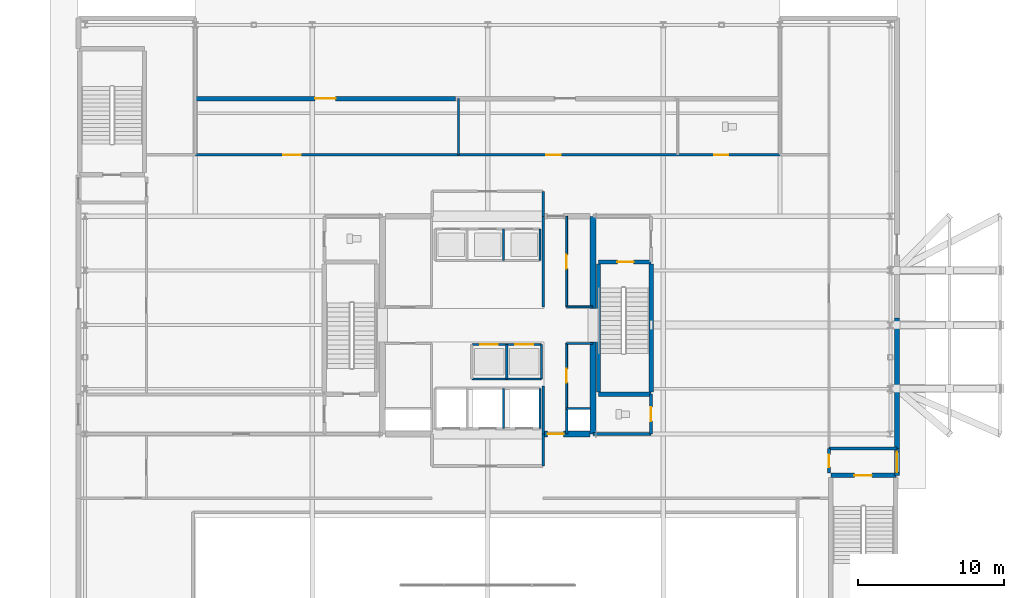
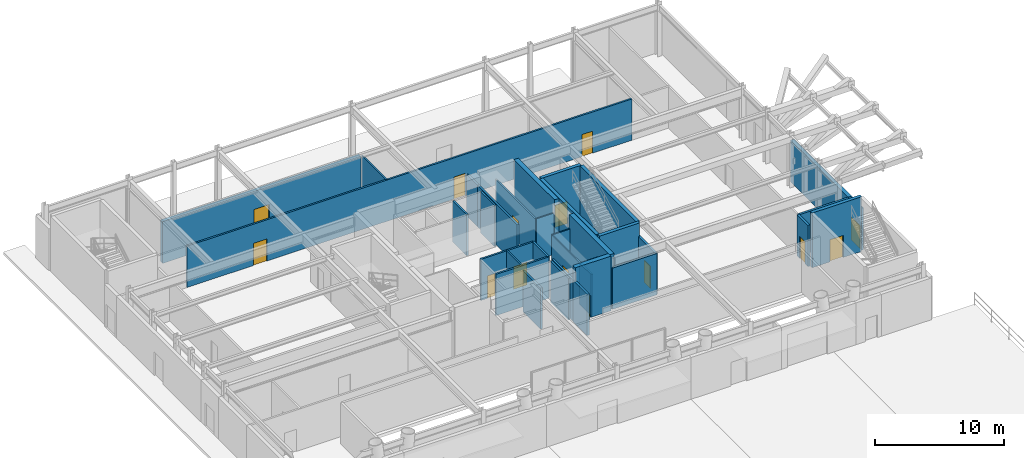
# One storey, part 13 of 19: 35 walls, 14 doors, 14 openings.
"""IFC4 building model written with IfcOpenShell, lengths in metres."""

from ifc_helpers import new_model, si_unit, direction, frame, frame_2d, origin, place, context, subcontext, project, spatial, rectangle, extrude, material, layer, layer_set, type_object, element, fill, save


model = new_model("IFC4")

# Units and contexts
model_context = context("Model", 3, precision=1e-05, world=origin(), true_north=direction((0.0, 1.0)))
body_context = subcontext(model_context, "Body", "Model", "MODEL_VIEW")
ifc_project = project(units=[si_unit("LENGTHUNIT", "METRE"), si_unit("AREAUNIT", "SQUARE_METRE"), si_unit("VOLUMEUNIT", "CUBIC_METRE"), si_unit("PLANEANGLEUNIT", "RADIAN"), si_unit("MASSUNIT", "GRAM", prefix="KILO")], contexts=[model_context])

# Site, building, storey
site_placement = place(None, origin())
site = spatial("IfcSite", under=ifc_project, at=site_placement, CompositionType="ELEMENT")
building_placement = place(site_placement, origin())
building = spatial("IfcBuilding", under=site, at=building_placement, Name="Veldorina Hangang Commons", CompositionType="ELEMENT")
storey_placement = place(building_placement, origin())
storey = spatial("IfcBuildingStorey", under=building, at=storey_placement, Name="L00", CompositionType="ELEMENT", Elevation=0.0)

# Walls
ifc_material_1 = material(Name="Concrete C70/85", Category="concrete")
ifc_layer_1 = layer(ifc_material_1, 0.39990234375)
ifc_layer_set_1 = layer_set([ifc_layer_1], Name="Concrete C70/85")
wall_type_1 = type_object("IfcWallType", Name="CW-RC400-C70", PredefinedType="SHEAR", material=ifc_layer_set_1)
for number, where, z_axis, x_axis, name in (
    (1, (39.199951171875, 16.550048828125, 0.0), (0.0, 0.0, 1.0), (0.0, 1.0, 0.0), "L00 E south core shear wall"),
    (2, (39.199951171875, 25.14990234375, 0.0), (0.0, 0.0, 1.0), (0.0, 1.0, 0.0), "L00 E north core shear wall"),
):
    element("IfcWall", number, at=place(storey_placement, frame(where, z_axis=z_axis, x_axis=x_axis)), inside=storey, type_object=wall_type_1, Name=name, PredefinedType="SHEAR", context=body_context, shape_type="SweptSolid", body=[
        extrude(rectangle(XDim=6.300048828125, YDim=0.39990234375, at=frame_2d((3.14990234375, 0.0))), origin(), (0.0, 0.0, 1.0), 5.199951171875),
    ])

# Wall, opening, door
wall_1_placement = place(storey_placement, frame((35.800048828125, 16.550048828125, 0.0), z_axis=(0.0, 0.0, 1.0), x_axis=(1.0, 0.0, 0.0)))
wall_1 = element("IfcWall", 3, at=wall_1_placement, inside=storey, type_object=wall_type_1, Name="L00 south-east core shear wall", PredefinedType="SHEAR", context=body_context, shape_type="SweptSolid", body=[
    extrude(rectangle(XDim=3.199951171875, YDim=0.39990234375, at=frame_2d((1.60009765625, 0.0))), origin(), (0.0, 0.0, 1.0), 5.199951171875),
])
opening_1_placement = place(wall_1_placement, frame((0.300048828125, 0.0, 0.0)))
opening_1 = element("IfcOpeningElement", 4, at=opening_1_placement, cuts=wall_1, Name="Opening D-08", PredefinedType="OPENING", context=body_context, shape_type="SweptSolid", body=[
    extrude(rectangle(XDim=1.10009765625, YDim=2.10009765625, at=frame_2d((0.550048828125, 1.050048828125))), frame((0.0, 0.2099609375, 0.0), z_axis=(0.0, -1.0, 0.0), x_axis=(1.0, 0.0, 0.0)), (0.0, 0.0, 1.0), 0.419921875),
])
ifc_material_2 = material(Name="Steel Fire-Rated Smoke Seal", Category="steel")
door_type_1 = type_object("IfcDoorType", Name="DR-FIRE-1100", OperationType="SINGLE_SWING_RIGHT", PredefinedType="DOOR", material=ifc_material_2)
door_1_placement = place(opening_1_placement, origin())
door_1 = element("IfcDoor", 5, at=door_1_placement, inside=storey, type_object=door_type_1, Name="L00 central lift lobby south corridor door", OperationType="SINGLE_SWING_RIGHT", OverallHeight=2.10009765625, OverallWidth=1.10009765625, PredefinedType="DOOR", context=body_context, shape_type="SweptSolid", body=[
    extrude(rectangle(XDim=1.10009765625, YDim=2.10009765625, at=frame_2d((0.550048828125, 1.050048828125))), frame((0.0, 0.02490234375, 0.0), z_axis=(0.0, -1.0, 0.0), x_axis=(1.0, 0.0, 0.0)), (0.0, 0.0, 1.0), 0.050048828125),
])
fill(opening_1, door_1)

ifc_material_3 = material(Name="Stone Pietra Limestone", Category="masonry")
ifc_layer_2 = layer(ifc_material_3, 0.320068359375)
ifc_layer_set_2 = layer_set([ifc_layer_2], Name="Stone Pietra Limestone")
wall_type_2 = type_object("IfcWallType", Name="EW-LIME-320", PredefinedType="STANDARD", material=ifc_layer_set_2)
wall_2_placement = place(storey_placement, frame((29.800048828125, 39.5, 0.0), z_axis=(0.0, 0.0, 1.0), x_axis=(-1.0, 0.0, 0.0)))
wall_2 = element("IfcWall", 6, at=wall_2_placement, inside=storey, type_object=wall_type_2, Name="L00 north courtyard stone wall NC1", PredefinedType="STANDARD", context=body_context, shape_type="SweptSolid", body=[
    extrude(rectangle(XDim=17.800048828125, YDim=0.320068359375, at=frame_2d((8.89990234375, 0.0))), origin(), (0.0, 0.0, 1.0), 3.969970703125),
])
opening_2_placement = place(wall_2_placement, frame((8.199951171875, 0.0, 0.0)))
opening_2 = element("IfcOpeningElement", 7, at=opening_2_placement, cuts=wall_2, Name="Opening ED-S1400", PredefinedType="OPENING", context=body_context, shape_type="SweptSolid", body=[
    extrude(rectangle(XDim=1.39990234375, YDim=2.25, at=frame_2d((0.699951171875, 1.125))), frame((0.0, 0.169921875, 0.0), z_axis=(0.0, -1.0, 0.0), x_axis=(1.0, 0.0, 0.0)), (0.0, 0.0, 1.0), 0.340087890625),
])
ifc_material_4 = material(Name="Glass Framed Anodized Bronze", Category="glass")
door_type_2 = type_object("IfcDoorType", Name="DR-EXT-SHOP1400", OperationType="SINGLE_SWING_RIGHT", PredefinedType="DOOR", material=ifc_material_4)
door_2_placement = place(opening_2_placement, frame((1.39990234375, 0.0, 0.0), z_axis=(0.0, 0.0, 1.0), x_axis=(-1.0, 0.0, 0.0)))
door_2 = element("IfcDoor", 8, at=door_2_placement, inside=storey, type_object=door_type_2, Name="L00 north courtyard entrance door NC1", OperationType="SINGLE_SWING_RIGHT", OverallHeight=2.25, OverallWidth=1.39990234375, PredefinedType="DOOR", context=body_context, shape_type="SweptSolid", body=[
    extrude(rectangle(XDim=1.39990234375, YDim=2.25, at=frame_2d((0.699951171875, 1.125))), frame((0.0, 0.02490234375, 0.0), z_axis=(0.0, -1.0, 0.0), x_axis=(1.0, 0.0, 0.0)), (0.0, 0.0, 1.0), 0.050048828125),
])
fill(opening_2, door_2)

wall_3_placement = place(storey_placement, frame((60.0, 13.719970703125, 0.0), z_axis=(0.0, 0.0, 1.0), x_axis=(0.0, 1.0, 0.0)))
wall_3 = element("IfcWall", 9, at=wall_3_placement, inside=storey, type_object=wall_type_2, Name="L00 east podium stone wall E3", PredefinedType="STANDARD", context=body_context, shape_type="SweptSolid", body=[
    extrude(rectangle(XDim=1.830078125, YDim=0.320068359375, at=frame_2d((0.9150390625, 0.0))), origin(), (0.0, 0.0, 1.0), 3.969970703125),
])
opening_3_placement = place(wall_3_placement, frame((0.215087890625, 0.0, 0.0)))
opening_3 = element("IfcOpeningElement", 10, at=opening_3_placement, cuts=wall_3, Name="Opening ED-1400", PredefinedType="OPENING", context=body_context, shape_type="SweptSolid", body=[
    extrude(rectangle(XDim=1.39990234375, YDim=2.199951171875, at=frame_2d((0.699951171875, 1.10009765625))), frame((0.0, 0.169921875, 0.0), z_axis=(0.0, -1.0, 0.0), x_axis=(1.0, 0.0, 0.0)), (0.0, 0.0, 1.0), 0.340087890625),
])
ifc_material_5 = material(Name="Steel Insulated Painted", Category="steel")
door_type_3 = type_object("IfcDoorType", Name="DR-EXT-EXIT1400", OperationType="SINGLE_SWING_LEFT", PredefinedType="DOOR", material=ifc_material_5)
door_3_placement = place(opening_3_placement, frame((1.39990234375, 0.0, 0.0), z_axis=(0.0, 0.0, 1.0), x_axis=(-1.0, 0.0, 0.0)))
door_3 = element("IfcDoor", 11, at=door_3_placement, inside=storey, type_object=door_type_3, Name="L00 ST-P2 protected passageway final exterior exit door", OperationType="SINGLE_SWING_RIGHT", OverallHeight=2.199951171875, OverallWidth=1.39990234375, PredefinedType="DOOR", context=body_context, shape_type="SweptSolid", body=[
    extrude(rectangle(XDim=1.39990234375, YDim=2.199951171875, at=frame_2d((0.699951171875, 1.10009765625))), frame((0.0, 0.02490234375, 0.0), z_axis=(0.0, -1.0, 0.0), x_axis=(1.0, 0.0, 0.0)), (0.0, 0.0, 1.0), 0.050048828125),
])
fill(opening_3, door_3)

# Walls
wall_4_placement = place(storey_placement, frame((60.0, 15.550048828125, 0.0), z_axis=(0.0, 0.0, 1.0), x_axis=(0.0, 1.0, 0.0)))
element("IfcWall", 12, at=wall_4_placement, inside=storey, type_object=wall_type_2, Name="L00 east podium stone wall E4", PredefinedType="STANDARD", context=body_context, shape_type="SweptSolid", body=[
    extrude(rectangle(XDim=8.949951171875, YDim=0.320068359375, at=frame_2d((4.47509765625, 0.0))), origin(), (0.0, 0.0, 1.0), 3.969970703125),
])
ifc_material_6 = material(Name="Concrete C50/60", Category="concrete")
ifc_layer_3 = layer(ifc_material_6, 0.300048828125)
ifc_layer_set_3 = layer_set([ifc_layer_3], Name="Concrete C50/60")
wall_type_3 = type_object("IfcWallType", Name="SW-STAIR-300", PredefinedType="SHEAR", material=ifc_layer_set_3)
for number, where, z_axis, x_axis, name in (
    (13, (43.179931640625, 19.429931640625, 0.0), (0.0, 0.0, 1.0), (0.0, 1.0, 0.0), "L00 ST2 outer stair shear wall"),
    (14, (39.580078125, 19.429931640625, 0.0), (0.0, 0.0, 1.0), (0.0, 1.0, 0.0), "L00 ST2 inner stair shear wall"),
):
    element("IfcWall", number, at=place(storey_placement, frame(where, z_axis=z_axis, x_axis=x_axis)), inside=storey, type_object=wall_type_3, Name=name, PredefinedType="SHEAR", context=body_context, shape_type="SweptSolid", body=[
        extrude(rectangle(XDim=8.739990234375, YDim=0.300048828125, at=frame_2d((4.3701171875, 0.0))), origin(), (0.0, 0.0, 1.0), 5.199951171875),
    ])
wall_5_placement = place(storey_placement, frame((39.580078125, 19.280029296875, 0.0), z_axis=(0.0, 0.0, 1.0), x_axis=(1.0, 0.0, 0.0)))
element("IfcWall", 15, at=wall_5_placement, inside=storey, type_object=wall_type_3, Name="L00 ST2 south stair shear wall", PredefinedType="SHEAR", context=body_context, shape_type="SweptSolid", body=[
    extrude(rectangle(XDim=3.599853515625, YDim=0.300048828125, at=frame_2d((1.7998046875, 0.0))), origin(), (0.0, 0.0, 1.0), 5.199951171875),
])

# Wall, opening, door
wall_6_placement = place(storey_placement, frame((39.580078125, 28.320068359375, 0.0), z_axis=(0.0, 0.0, 1.0), x_axis=(1.0, 0.0, 0.0)))
wall_6 = element("IfcWall", 16, at=wall_6_placement, inside=storey, type_object=wall_type_3, Name="L00 ST2 north stair shear wall", PredefinedType="SHEAR", context=body_context, shape_type="SweptSolid", body=[
    extrude(rectangle(XDim=3.599853515625, YDim=0.300048828125, at=frame_2d((1.7998046875, 0.0))), origin(), (0.0, 0.0, 1.0), 5.199951171875),
])
opening_4_placement = place(wall_6_placement, frame((1.300048828125, 0.0, 0.0)))
opening_4 = element("IfcOpeningElement", 17, at=opening_4_placement, cuts=wall_6, Name="Opening D-08", PredefinedType="OPENING", context=body_context, shape_type="SweptSolid", body=[
    extrude(rectangle(XDim=1.10009765625, YDim=2.10009765625, at=frame_2d((0.550048828125, 1.050048828125))), frame((0.0, 0.16015625, 0.0), z_axis=(0.0, -1.0, 0.0), x_axis=(1.0, 0.0, 0.0)), (0.0, 0.0, 1.0), 0.320068359375),
])
door_4_placement = place(opening_4_placement, origin())
door_4 = element("IfcDoor", 18, at=door_4_placement, inside=storey, type_object=door_type_1, Name="L00 Special Escape Stair ST-2 door", OperationType="SINGLE_SWING_RIGHT", OverallHeight=2.10009765625, OverallWidth=1.10009765625, PredefinedType="DOOR", context=body_context, shape_type="SweptSolid", body=[
    extrude(rectangle(XDim=1.10009765625, YDim=2.10009765625, at=frame_2d((0.550048828125, 1.050048828125))), frame((0.0, 0.02490234375, 0.0), z_axis=(0.0, -1.0, 0.0), x_axis=(1.0, 0.0, 0.0)), (0.0, 0.0, 1.0), 0.050048828125),
])
fill(opening_4, door_4)

wall_7_placement = place(storey_placement, frame((55.47998046875, 13.719970703125, 0.0), z_axis=(0.0, 0.0, 1.0), x_axis=(1.0, 0.0, 0.0)))
wall_7 = element("IfcWall", 19, at=wall_7_placement, inside=storey, type_object=wall_type_3, Name="L00 STP2 N stair shear wall", PredefinedType="SHEAR", context=body_context, shape_type="SweptSolid", body=[
    extrude(rectangle(XDim=4.43994140625, YDim=0.300048828125, at=frame_2d((2.219970703125, 0.0))), origin(), (0.0, 0.0, 1.0), 5.199951171875),
])
opening_5_placement = place(wall_7_placement, frame((1.60009765625, 0.0, 0.0)))
opening_5 = element("IfcOpeningElement", 20, at=opening_5_placement, cuts=wall_7, Name="Opening D-09", PredefinedType="OPENING", context=body_context, shape_type="SweptSolid", body=[
    extrude(rectangle(XDim=1.199951171875, YDim=2.10009765625, at=frame_2d((0.60009765625, 1.050048828125))), frame((0.0, 0.16015625, 0.0), z_axis=(0.0, -1.0, 0.0), x_axis=(1.0, 0.0, 0.0)), (0.0, 0.0, 1.0), 0.320068359375),
])
ifc_material_7 = material(Name="Steel Fire-Rated Corridor Door", Category="steel")
door_type_4 = type_object("IfcDoorType", Name="DR-FIRE-1200", OperationType="SINGLE_SWING_LEFT", PredefinedType="DOOR", material=ifc_material_7)
door_5_placement = place(opening_5_placement, origin())
door_5 = element("IfcDoor", 21, at=door_5_placement, inside=storey, type_object=door_type_4, Name="L00 Podium Stair ST-P2 door", OperationType="SINGLE_SWING_RIGHT", OverallHeight=2.10009765625, OverallWidth=1.199951171875, PredefinedType="DOOR", context=body_context, shape_type="SweptSolid", body=[
    extrude(rectangle(XDim=1.199951171875, YDim=2.10009765625, at=frame_2d((0.60009765625, 1.050048828125))), frame((0.0, 0.02490234375, 0.0), z_axis=(0.0, -1.0, 0.0), x_axis=(1.0, 0.0, 0.0)), (0.0, 0.0, 1.0), 0.050048828125),
])
fill(opening_5, door_5)

# Walls
ifc_material_8 = material(Name="Gypsum Fire-Rated Twin Stud Wall", Category="gypsum")
ifc_layer_4 = layer(ifc_material_8, 0.159912109375)
ifc_layer_set_4 = layer_set([ifc_layer_4], Name="Gypsum Fire-Rated Twin Stud Wall")
wall_type_4 = type_object("IfcWallType", Name="WL-FIRE-160", PredefinedType="SOLIDWALL", material=ifc_layer_set_4)
wall_8_placement = place(storey_placement, frame((35.800048828125, 16.550048828125, 0.0), z_axis=(0.0, 0.0, 1.0), x_axis=(0.0, 1.0, 0.0)))
element("IfcWall", 22, at=wall_8_placement, inside=storey, type_object=wall_type_4, Name="L00 Lift passage SW wall 009", PredefinedType="SOLIDWALL", context=body_context, shape_type="SweptSolid", body=[
    extrude(rectangle(XDim=3.300048828125, YDim=0.159912109375, at=frame_2d((1.64990234375, 0.0))), origin(), (0.0, 0.0, 1.0), 3.919921875),
])
wall_9_placement = place(storey_placement, frame((37.39990234375, 16.550048828125, 0.0), z_axis=(0.0, 0.0, 1.0), x_axis=(0.0, 1.0, 0.0)))
element("IfcWall", 23, at=wall_9_placement, inside=storey, type_object=wall_type_4, Name="L00 Lift passage SE stub 010", PredefinedType="SOLIDWALL", context=body_context, shape_type="SweptSolid", body=[
    extrude(rectangle(XDim=1.75, YDim=0.159912109375, at=frame_2d((0.875, 0.0))), origin(), (0.0, 0.0, 1.0), 3.919921875),
])
wall_10_placement = place(storey_placement, frame((35.800048828125, 25.25, 0.0), z_axis=(0.0, 0.0, 1.0), x_axis=(0.0, 1.0, 0.0)))
element("IfcWall", 24, at=wall_10_placement, inside=storey, type_object=wall_type_4, Name="L00 Lift passage NW wall 011", PredefinedType="SOLIDWALL", context=body_context, shape_type="SweptSolid", body=[
    extrude(rectangle(XDim=6.199951171875, YDim=0.159912109375, at=frame_2d((3.10009765625, 0.0))), origin(), (0.0, 0.0, 1.0), 3.919921875),
])
for number, where, z_axis, x_axis, name in (
    (25, (33.080078125, 28.419921875, 0.0), (0.0, 0.0, 1.0), (0.0, 1.0, 0.0), "L00 PL-L2 east shaft wall 019"),
    (26, (35.580078125, 28.419921875, 0.0), (0.0, 0.0, 1.0), (0.0, 1.0, 0.0), "L00 PL-L3 east shaft wall 020"),
):
    element("IfcWall", number, at=place(storey_placement, frame(where, z_axis=z_axis, x_axis=x_axis)), inside=storey, type_object=wall_type_4, Name=name, PredefinedType="SOLIDWALL", context=body_context, shape_type="SweptSolid", body=[
        extrude(rectangle(XDim=2.16015625, YDim=0.159912109375, at=frame_2d((1.080078125, 0.0))), origin(), (0.0, 0.0, 1.0), 3.919921875),
    ])

# Wall, openings, doors
wall_11_placement = place(storey_placement, frame((30.919921875, 22.679931640625, 0.0), z_axis=(0.0, 0.0, 1.0), x_axis=(1.0, 0.0, 0.0)))
wall_11 = element("IfcWall", 27, at=wall_11_placement, inside=storey, type_object=wall_type_4, Name="L00 Shuttle-high front shaft wall 021", PredefinedType="SOLIDWALL", context=body_context, shape_type="SweptSolid", body=[
    extrude(rectangle(XDim=4.760009765625, YDim=0.159912109375, at=frame_2d((2.3798828125, 0.0))), origin(), (0.0, 0.0, 1.0), 3.919921875),
])
opening_6_placement = place(wall_11_placement, frame((0.580078125, 0.0, 0.0)))
opening_6 = element("IfcOpeningElement", 28, at=opening_6_placement, cuts=wall_11, Name="Opening LD-02", PredefinedType="OPENING", context=body_context, shape_type="SweptSolid", body=[
    extrude(rectangle(XDim=1.199951171875, YDim=2.14990234375, at=frame_2d((0.60009765625, 1.074951171875))), frame((0.0, 0.08984375, 0.0), z_axis=(0.0, -1.0, 0.0), x_axis=(1.0, 0.0, 0.0)), (0.0, 0.0, 1.0), 0.179931640625),
])
opening_7_placement = place(wall_11_placement, frame((2.97998046875, 0.0, 0.0)))
opening_7 = element("IfcOpeningElement", 29, at=opening_7_placement, cuts=wall_11, Name="Opening LD-02", PredefinedType="OPENING", context=body_context, shape_type="SweptSolid", body=[
    extrude(rectangle(XDim=1.199951171875, YDim=2.14990234375, at=frame_2d((0.60009765625, 1.074951171875))), frame((0.0, 0.08984375, 0.0), z_axis=(0.0, -1.0, 0.0), x_axis=(1.0, 0.0, 0.0)), (0.0, 0.0, 1.0), 0.179931640625),
])
ifc_material_9 = material(Name="Stainless Steel Express Lift Door", Category="steel")
door_type_5 = type_object("IfcDoorType", Name="DR-LIFT-1200", OperationType="SLIDING_TO_LEFT", PredefinedType="DOOR", material=ifc_material_9)
door_6_placement = place(opening_6_placement, origin())
door_6 = element("IfcDoor", 30, at=door_6_placement, inside=storey, type_object=door_type_5, Name="L00 Lift SL-1 landing door 009", OperationType="SLIDING_TO_LEFT", OverallHeight=2.14990234375, OverallWidth=1.199951171875, PredefinedType="DOOR", context=body_context, shape_type="SweptSolid", body=[
    extrude(rectangle(XDim=1.199951171875, YDim=2.14990234375, at=frame_2d((0.60009765625, 1.074951171875))), frame((0.0, 0.02490234375, 0.0), z_axis=(0.0, -1.0, 0.0), x_axis=(1.0, 0.0, 0.0)), (0.0, 0.0, 1.0), 0.050048828125),
])
fill(opening_6, door_6)
door_7_placement = place(opening_7_placement, origin())
door_7 = element("IfcDoor", 31, at=door_7_placement, inside=storey, type_object=door_type_5, Name="L00 Lift SL-2 landing door 010", OperationType="SLIDING_TO_LEFT", OverallHeight=2.14990234375, OverallWidth=1.199951171875, PredefinedType="DOOR", context=body_context, shape_type="SweptSolid", body=[
    extrude(rectangle(XDim=1.199951171875, YDim=2.14990234375, at=frame_2d((0.60009765625, 1.074951171875))), frame((0.0, 0.02490234375, 0.0), z_axis=(0.0, -1.0, 0.0), x_axis=(1.0, 0.0, 0.0)), (0.0, 0.0, 1.0), 0.050048828125),
])
fill(opening_7, door_7)

# Walls
wall_12_placement = place(storey_placement, frame((30.919921875, 20.320068359375, 0.0), z_axis=(0.0, 0.0, 1.0), x_axis=(1.0, 0.0, 0.0)))
element("IfcWall", 32, at=wall_12_placement, inside=storey, type_object=wall_type_4, Name="L00 Shuttle-high rear shaft wall 022", PredefinedType="SOLIDWALL", context=body_context, shape_type="SweptSolid", body=[
    extrude(rectangle(XDim=4.760009765625, YDim=0.159912109375, at=frame_2d((2.3798828125, 0.0))), origin(), (0.0, 0.0, 1.0), 3.919921875),
])
for number, where, z_axis, x_axis, name in (
    (33, (33.300048828125, 20.320068359375, 0.0), (0.0, 0.0, 1.0), (0.0, 1.0, 0.0), "L00 SL-1 east shaft wall 024"),
    (34, (35.679931640625, 20.320068359375, 0.0), (0.0, 0.0, 1.0), (0.0, 1.0, 0.0), "L00 SL-2 east shaft wall 025"),
):
    element("IfcWall", number, at=place(storey_placement, frame(where, z_axis=z_axis, x_axis=x_axis)), inside=storey, type_object=wall_type_4, Name=name, PredefinedType="SOLIDWALL", context=body_context, shape_type="SweptSolid", body=[
        extrude(rectangle(XDim=2.35986328125, YDim=0.159912109375, at=frame_2d((1.179931640625, 0.0))), origin(), (0.0, 0.0, 1.0), 3.919921875),
    ])
for number, where, z_axis, x_axis, name in (
    (35, (33.080078125, 16.919921875, 0.0), (0.0, 0.0, 1.0), (0.0, 1.0, 0.0), "L00 FFL-2 east shaft wall 030"),
    (36, (35.580078125, 16.919921875, 0.0), (0.0, 0.0, 1.0), (0.0, 1.0, 0.0), "L00 EVL-1 east shaft wall 031"),
):
    element("IfcWall", number, at=place(storey_placement, frame(where, z_axis=z_axis, x_axis=x_axis)), inside=storey, type_object=wall_type_4, Name=name, PredefinedType="SOLIDWALL", context=body_context, shape_type="SweptSolid", body=[
        extrude(rectangle(XDim=2.760009765625, YDim=0.159912109375, at=frame_2d((1.3798828125, 0.0))), origin(), (0.0, 0.0, 1.0), 3.919921875),
    ])
wall_13_placement = place(storey_placement, frame((35.800048828125, 31.449951171875, 0.0), z_axis=(0.0, 0.0, 1.0), x_axis=(0.0, 1.0, 0.0)))
element("IfcWall", 37, at=wall_13_placement, inside=storey, type_object=wall_type_4, Name="L00 North lobby east wall 033", PredefinedType="SOLIDWALL", context=body_context, shape_type="SweptSolid", body=[
    extrude(rectangle(XDim=1.699951171875, YDim=0.159912109375, at=frame_2d((0.85009765625, 0.0))), origin(), (0.0, 0.0, 1.0), 3.919921875),
])
wall_14_placement = place(storey_placement, frame((37.39990234375, 18.300048828125, 0.0), z_axis=(0.0, 0.0, 1.0), x_axis=(1.0, 0.0, 0.0)))
element("IfcWall", 38, at=wall_14_placement, inside=storey, type_object=wall_type_4, Name="L00 Plumbing riser wall 037", PredefinedType="SOLIDWALL", context=body_context, shape_type="SweptSolid", body=[
    extrude(rectangle(XDim=1.650146484375, YDim=0.159912109375, at=frame_2d((0.8251953125, 0.0))), origin(), (0.0, 0.0, 1.0), 3.919921875),
])

# Wall, openings, doors
wall_15_placement = place(storey_placement, frame((12.0, 35.64990234375, 0.0), z_axis=(0.0, 0.0, 1.0), x_axis=(1.0, 0.0, 0.0)))
wall_15 = element("IfcWall", 39, at=wall_15_placement, inside=storey, type_object=wall_type_4, Name="L00 Concourse north wall 054", PredefinedType="SOLIDWALL", context=body_context, shape_type="SweptSolid", body=[
    extrude(rectangle(XDim=40.0, YDim=0.159912109375, at=frame_2d((20.0, 0.0))), origin(), (0.0, 0.0, 1.0), 3.919921875),
])
opening_8_placement = place(wall_15_placement, frame((6.0, 0.0, 0.0)))
opening_8 = element("IfcOpeningElement", 40, at=opening_8_placement, cuts=wall_15, Name="Opening D-09", PredefinedType="OPENING", context=body_context, shape_type="SweptSolid", body=[
    extrude(rectangle(XDim=1.199951171875, YDim=2.10009765625, at=frame_2d((0.60009765625, 1.050048828125))), frame((0.0, 0.08984375, 0.0), z_axis=(0.0, -1.0, 0.0), x_axis=(1.0, 0.0, 0.0)), (0.0, 0.0, 1.0), 0.179931640625),
])
opening_9_placement = place(wall_15_placement, frame((24.0, 0.0, 0.0)))
opening_9 = element("IfcOpeningElement", 41, at=opening_9_placement, cuts=wall_15, Name="Opening D-05", PredefinedType="OPENING", context=body_context, shape_type="SweptSolid", body=[
    extrude(rectangle(XDim=1.0, YDim=2.10009765625, at=frame_2d((0.5, 1.050048828125))), frame((0.0, 0.08984375, 0.0), z_axis=(0.0, -1.0, 0.0), x_axis=(1.0, 0.0, 0.0)), (0.0, 0.0, 1.0), 0.179931640625),
])
opening_10_placement = place(wall_15_placement, frame((35.5, 0.0, 0.0)))
opening_10 = element("IfcOpeningElement", 42, at=opening_10_placement, cuts=wall_15, Name="Opening D-02", PredefinedType="OPENING", context=body_context, shape_type="SweptSolid", body=[
    extrude(rectangle(XDim=0.949951171875, YDim=2.10009765625, at=frame_2d((0.47509765625, 1.050048828125))), frame((0.0, 0.08984375, 0.0), z_axis=(0.0, -1.0, 0.0), x_axis=(1.0, 0.0, 0.0)), (0.0, 0.0, 1.0), 0.179931640625),
])
door_8_placement = place(opening_8_placement, origin())
door_8 = element("IfcDoor", 43, at=door_8_placement, inside=storey, type_object=door_type_4, Name="L00 Bookstore concourse door 026", OperationType="SINGLE_SWING_RIGHT", OverallHeight=2.10009765625, OverallWidth=1.199951171875, PredefinedType="DOOR", context=body_context, shape_type="SweptSolid", body=[
    extrude(rectangle(XDim=1.199951171875, YDim=2.10009765625, at=frame_2d((0.60009765625, 1.050048828125))), frame((0.0, 0.02490234375, 0.0), z_axis=(0.0, -1.0, 0.0), x_axis=(1.0, 0.0, 0.0)), (0.0, 0.0, 1.0), 0.050048828125),
])
fill(opening_8, door_8)
ifc_material_10 = material(Name="Timber Solid Core Acoustic", Category="wood")
door_type_6 = type_object("IfcDoorType", Name="DR-INT-1000", OperationType="SINGLE_SWING_RIGHT", PredefinedType="DOOR", material=ifc_material_10)
door_9_placement = place(opening_9_placement, origin())
door_9 = element("IfcDoor", 44, at=door_9_placement, inside=storey, type_object=door_type_6, Name="L00 Student services door 027", OperationType="SINGLE_SWING_LEFT", OverallHeight=2.10009765625, OverallWidth=1.0, PredefinedType="DOOR", context=body_context, shape_type="SweptSolid", body=[
    extrude(rectangle(XDim=1.0, YDim=2.10009765625, at=frame_2d((0.5, 1.050048828125))), frame((0.0, 0.02490234375, 0.0), z_axis=(0.0, -1.0, 0.0), x_axis=(1.0, 0.0, 0.0)), (0.0, 0.0, 1.0), 0.050048828125),
])
fill(opening_9, door_9)
door_type_7 = type_object("IfcDoorType", Name="DR-INT-950", OperationType="SINGLE_SWING_LEFT", PredefinedType="DOOR", material=ifc_material_10)
door_10_placement = place(opening_10_placement, origin())
door_10 = element("IfcDoor", 45, at=door_10_placement, inside=storey, type_object=door_type_7, Name="L00 Ground public WC door 028", OperationType="SINGLE_SWING_RIGHT", OverallHeight=2.10009765625, OverallWidth=0.949951171875, PredefinedType="DOOR", context=body_context, shape_type="SweptSolid", body=[
    extrude(rectangle(XDim=0.949951171875, YDim=2.10009765625, at=frame_2d((0.47509765625, 1.050048828125))), frame((0.0, 0.02490234375, 0.0), z_axis=(0.0, -1.0, 0.0), x_axis=(1.0, 0.0, 0.0)), (0.0, 0.0, 1.0), 0.050048828125),
])
fill(opening_10, door_10)

# Wall, opening, door
ifc_material_11 = material(Name="Concrete Blockwork Fire Wall C30/37", Category="masonry")
ifc_layer_5 = layer(ifc_material_11, 0.199951171875)
ifc_layer_set_5 = layer_set([ifc_layer_5], Name="Concrete Blockwork Fire Wall C30/37")
wall_type_5 = type_object("IfcWallType", Name="WL-FIRE-200", PredefinedType="SOLIDWALL", material=ifc_layer_set_5)
wall_16_placement = place(storey_placement, frame((43.179931640625, 16.550048828125, 0.0), z_axis=(0.0, 0.0, 1.0), x_axis=(0.0, 1.0, 0.0)))
wall_16 = element("IfcWall", 46, at=wall_16_placement, inside=storey, type_object=wall_type_5, Name="L00 SE core room outer wall 007", PredefinedType="SOLIDWALL", context=body_context, shape_type="SweptSolid", body=[
    extrude(rectangle(XDim=2.72998046875, YDim=0.199951171875, at=frame_2d((1.364990234375, 0.0))), origin(), (0.0, 0.0, 1.0), 3.919921875),
])
opening_11_placement = place(wall_16_placement, frame((0.889892578125, 0.0, 0.0)))
opening_11 = element("IfcOpeningElement", 47, at=opening_11_placement, cuts=wall_16, Name="Opening D-02", PredefinedType="OPENING", context=body_context, shape_type="SweptSolid", body=[
    extrude(rectangle(XDim=0.949951171875, YDim=2.10009765625, at=frame_2d((0.47509765625, 1.050048828125))), frame((0.0, 0.10986328125, 0.0), z_axis=(0.0, -1.0, 0.0), x_axis=(1.0, 0.0, 0.0)), (0.0, 0.0, 1.0), 0.219970703125),
])
door_11_placement = place(opening_11_placement, origin())
door_11 = element("IfcDoor", 48, at=door_11_placement, inside=storey, type_object=door_type_7, Name="L00 SE core WC door 004", OperationType="SINGLE_SWING_RIGHT", OverallHeight=2.10009765625, OverallWidth=0.949951171875, PredefinedType="DOOR", context=body_context, shape_type="SweptSolid", body=[
    extrude(rectangle(XDim=0.949951171875, YDim=2.10009765625, at=frame_2d((0.47509765625, 1.050048828125))), frame((0.0, 0.02490234375, 0.0), z_axis=(0.0, -1.0, 0.0), x_axis=(1.0, 0.0, 0.0)), (0.0, 0.0, 1.0), 0.050048828125),
])
fill(opening_11, door_11)

# Walls
wall_17_placement = place(storey_placement, frame((39.199951171875, 16.550048828125, 0.0), z_axis=(0.0, 0.0, 1.0), x_axis=(1.0, 0.0, 0.0)))
element("IfcWall", 49, at=wall_17_placement, inside=storey, type_object=wall_type_5, Name="L00 SE core room south wall 008", PredefinedType="SOLIDWALL", context=body_context, shape_type="SweptSolid", body=[
    extrude(rectangle(XDim=3.97998046875, YDim=0.199951171875, at=frame_2d((1.989990234375, 0.0))), origin(), (0.0, 0.0, 1.0), 3.919921875),
])
wall_18_placement = place(storey_placement, frame((35.800048828125, 14.35009765625, 0.0), z_axis=(0.0, 0.0, 1.0), x_axis=(0.0, 1.0, 0.0)))
element("IfcWall", 50, at=wall_18_placement, inside=storey, type_object=wall_type_5, Name="L00 FF lobby east wall 013", PredefinedType="SOLIDWALL", context=body_context, shape_type="SweptSolid", body=[
    extrude(rectangle(XDim=2.199951171875, YDim=0.199951171875, at=frame_2d((1.10009765625, 0.0))), origin(), (0.0, 0.0, 1.0), 3.919921875),
])

# Wall, opening, door
wall_19_placement = place(storey_placement, frame((55.35009765625, 13.8701171875, 0.0), z_axis=(0.0, 0.0, 1.0), x_axis=(0.0, 1.0, 0.0)))
wall_19 = element("IfcWall", 51, at=wall_19_placement, inside=storey, type_object=wall_type_5, Name="L00 ST-P2 exit passageway west fire wall 051", PredefinedType="SOLIDWALL", context=body_context, shape_type="SweptSolid", body=[
    extrude(rectangle(XDim=1.679931640625, YDim=0.199951171875, at=frame_2d((0.83984375, 0.0))), origin(), (0.0, 0.0, 1.0), 3.919921875),
])
opening_12_placement = place(wall_19_placement, frame((0.409912109375, 0.0, 0.0)))
opening_12 = element("IfcOpeningElement", 52, at=opening_12_placement, cuts=wall_19, Name="Opening D-01N", PredefinedType="OPENING", context=body_context, shape_type="SweptSolid", body=[
    extrude(rectangle(XDim=0.860107421875, YDim=2.10009765625, at=frame_2d((0.43017578125, 1.050048828125))), frame((0.0, 0.10986328125, 0.0), z_axis=(0.0, -1.0, 0.0), x_axis=(1.0, 0.0, 0.0)), (0.0, 0.0, 1.0), 0.219970703125),
])
ifc_material_12 = material(Name="Timber Fire-Rated Core", Category="wood")
door_type_8 = type_object("IfcDoorType", Name="DR-INT-860", OperationType="SINGLE_SWING_LEFT", PredefinedType="DOOR", material=ifc_material_12)
door_12_placement = place(opening_12_placement, origin())
door_12 = element("IfcDoor", 53, at=door_12_placement, inside=storey, type_object=door_type_8, Name="L00 ST-P2 passageway lobby door 020", OperationType="SINGLE_SWING_RIGHT", OverallHeight=2.10009765625, OverallWidth=0.860107421875, PredefinedType="DOOR", context=body_context, shape_type="SweptSolid", body=[
    extrude(rectangle(XDim=0.860107421875, YDim=2.10009765625, at=frame_2d((0.43017578125, 1.050048828125))), frame((0.0, 0.02490234375, 0.0), z_axis=(0.0, -1.0, 0.0), x_axis=(1.0, 0.0, 0.0)), (0.0, 0.0, 1.0), 0.050048828125),
])
fill(opening_12, door_12)

# Wall
wall_20_placement = place(storey_placement, frame((55.35009765625, 15.550048828125, 0.0), z_axis=(0.0, 0.0, 1.0), x_axis=(1.0, 0.0, 0.0)))
element("IfcWall", 54, at=wall_20_placement, inside=storey, type_object=wall_type_5, Name="L00 East cafe south fire wall 063", PredefinedType="SOLIDWALL", context=body_context, shape_type="SweptSolid", body=[
    extrude(rectangle(XDim=4.64990234375, YDim=0.199951171875, at=frame_2d((2.324951171875, 0.0))), origin(), (0.0, 0.0, 1.0), 3.919921875),
])

# Wall, opening, door
ifc_material_13 = material(Name="Gypsum Acoustic Stud Partition", Category="gypsum")
ifc_layer_6 = layer(ifc_material_13, 0.1201171875)
ifc_layer_set_6 = layer_set([ifc_layer_6], Name="Gypsum Acoustic Stud Partition")
wall_type_6 = type_object("IfcWallType", Name="WL-PART-120", PredefinedType="PARTITIONING", material=ifc_layer_set_6)
wall_21_placement = place(storey_placement, frame((37.39990234375, 25.25, 0.0), z_axis=(0.0, 0.0, 1.0), x_axis=(0.0, 1.0, 0.0)))
wall_21 = element("IfcWall", 55, at=wall_21_placement, inside=storey, type_object=wall_type_6, Name="L00 NE strip lobby wall 041", PredefinedType="PARTITIONING", context=body_context, shape_type="SweptSolid", body=[
    extrude(rectangle(XDim=6.199951171875, YDim=0.1201171875, at=frame_2d((3.10009765625, 0.0))), origin(), (0.0, 0.0, 1.0), 3.919921875),
])
opening_13_placement = place(wall_21_placement, frame((2.625, 0.0, 0.0)))
opening_13 = element("IfcOpeningElement", 56, at=opening_13_placement, cuts=wall_21, Name="Opening D-02", PredefinedType="OPENING", context=body_context, shape_type="SweptSolid", body=[
    extrude(rectangle(XDim=0.949951171875, YDim=2.10009765625, at=frame_2d((0.47509765625, 1.050048828125))), frame((0.0, 0.070068359375, 0.0), z_axis=(0.0, -1.0, 0.0), x_axis=(1.0, 0.0, 0.0)), (0.0, 0.0, 1.0), 0.14013671875),
])
door_13_placement = place(opening_13_placement, origin())
door_13 = element("IfcDoor", 57, at=door_13_placement, inside=storey, type_object=door_type_7, Name="L00 Comms room door 017", OperationType="SINGLE_SWING_LEFT", OverallHeight=2.10009765625, OverallWidth=0.949951171875, PredefinedType="DOOR", context=body_context, shape_type="SweptSolid", body=[
    extrude(rectangle(XDim=0.949951171875, YDim=2.10009765625, at=frame_2d((0.47509765625, 1.050048828125))), frame((0.0, 0.02490234375, 0.0), z_axis=(0.0, -1.0, 0.0), x_axis=(1.0, 0.0, 0.0)), (0.0, 0.0, 1.0), 0.050048828125),
])
fill(opening_13, door_13)

# Wall
wall_22_placement = place(storey_placement, frame((37.39990234375, 25.25, 0.0), z_axis=(0.0, 0.0, 1.0), x_axis=(1.0, 0.0, 0.0)))
element("IfcWall", 58, at=wall_22_placement, inside=storey, type_object=wall_type_6, Name="L00 NE strip south return wall 042", PredefinedType="PARTITIONING", context=body_context, shape_type="SweptSolid", body=[
    extrude(rectangle(XDim=1.800048828125, YDim=0.1201171875, at=frame_2d((0.89990234375, 0.0))), origin(), (0.0, 0.0, 1.0), 3.919921875),
])

# Wall, opening, door
wall_23_placement = place(storey_placement, frame((37.39990234375, 18.300048828125, 0.0), z_axis=(0.0, 0.0, 1.0), x_axis=(0.0, 1.0, 0.0)))
wall_23 = element("IfcWall", 59, at=wall_23_placement, inside=storey, type_object=wall_type_6, Name="L00 SE strip lobby wall 043", PredefinedType="PARTITIONING", context=body_context, shape_type="SweptSolid", body=[
    extrude(rectangle(XDim=4.449951171875, YDim=0.1201171875, at=frame_2d((2.22509765625, 0.0))), origin(), (0.0, 0.0, 1.0), 3.919921875),
])
opening_14_placement = place(wall_23_placement, frame((1.75, 0.0, 0.0)))
opening_14 = element("IfcOpeningElement", 60, at=opening_14_placement, cuts=wall_23, Name="Opening D-02", PredefinedType="OPENING", context=body_context, shape_type="SweptSolid", body=[
    extrude(rectangle(XDim=0.949951171875, YDim=2.10009765625, at=frame_2d((0.47509765625, 1.050048828125))), frame((0.0, 0.070068359375, 0.0), z_axis=(0.0, -1.0, 0.0), x_axis=(1.0, 0.0, 0.0)), (0.0, 0.0, 1.0), 0.14013671875),
])
door_14_placement = place(opening_14_placement, origin())
door_14 = element("IfcDoor", 61, at=door_14_placement, inside=storey, type_object=door_type_7, Name="L00 BMS closet door 018", OperationType="SINGLE_SWING_RIGHT", OverallHeight=2.10009765625, OverallWidth=0.949951171875, PredefinedType="DOOR", context=body_context, shape_type="SweptSolid", body=[
    extrude(rectangle(XDim=0.949951171875, YDim=2.10009765625, at=frame_2d((0.47509765625, 1.050048828125))), frame((0.0, 0.02490234375, 0.0), z_axis=(0.0, -1.0, 0.0), x_axis=(1.0, 0.0, 0.0)), (0.0, 0.0, 1.0), 0.050048828125),
])
fill(opening_14, door_14)

# Walls
wall_24_placement = place(storey_placement, frame((37.39990234375, 22.75, 0.0), z_axis=(0.0, 0.0, 1.0), x_axis=(1.0, 0.0, 0.0)))
element("IfcWall", 62, at=wall_24_placement, inside=storey, type_object=wall_type_6, Name="L00 SE strip north return wall 044", PredefinedType="PARTITIONING", context=body_context, shape_type="SweptSolid", body=[
    extrude(rectangle(XDim=1.800048828125, YDim=0.1201171875, at=frame_2d((0.89990234375, 0.0))), origin(), (0.0, 0.0, 1.0), 3.919921875),
])
wall_25_placement = place(storey_placement, frame((30.0, 35.64990234375, 0.0), z_axis=(0.0, 0.0, 1.0), x_axis=(0.0, 1.0, 0.0)))
element("IfcWall", 63, at=wall_25_placement, inside=storey, type_object=wall_type_6, Name="L00 North retail-office split 066", PredefinedType="PARTITIONING", context=body_context, shape_type="SweptSolid", body=[
    extrude(rectangle(XDim=3.85009765625, YDim=0.1201171875, at=frame_2d((1.925048828125, 0.0))), origin(), (0.0, 0.0, 1.0), 3.919921875),
])

save(model, "model.ifc")
